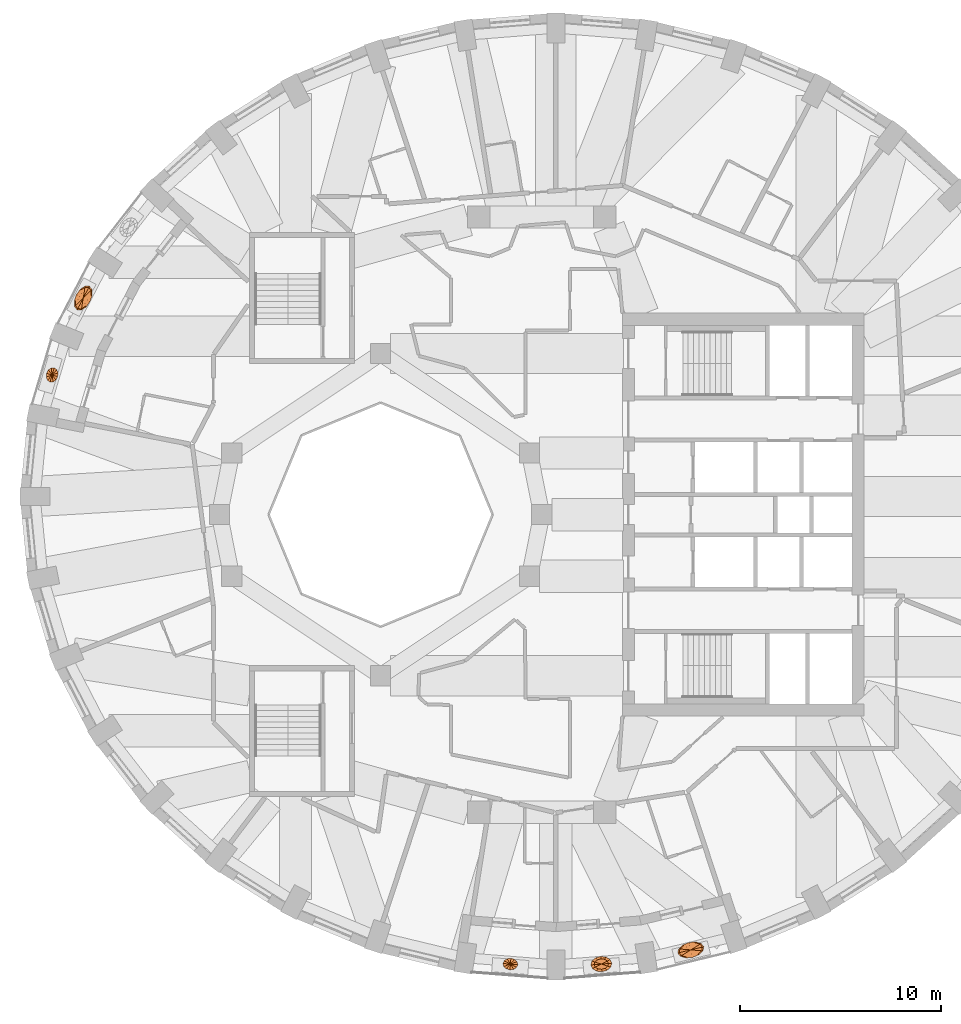
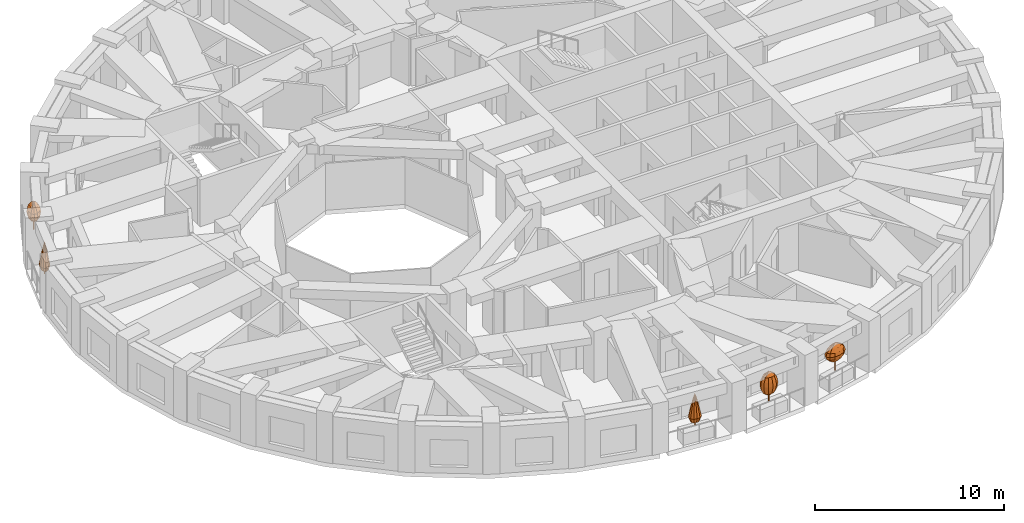
# One storey, part 11 of 12: 5 geographic elements.
"""IFC4 building model written with IfcOpenShell, lengths in metres."""

import ifcopenshell
import ifcopenshell.guid

model = None  # the IFC model being written
_history = None  # IfcOwnerHistory: only IFC2X3 demands one
_inside = {}  # id of a spatial element -> (the spatial element, [elements in it])
_under = {}  # id of a project, library or spatial element -> (it, [spatial elements below it])
_declared = {}  # id of a project -> (the project, [libraries it declares])
_typed = {}  # id of a type object -> (the type object, [elements of that type])
_made_of = {}  # id of a material, layer set ... -> (it, [elements and type objects made of it])


def new_model(schema):
    """Start an empty IFC model of exactly this schema.

    Asked for "IFC4X3", IfcOpenShell would pick the latest addendum, in which some entities
    have other attributes; the version numbers below select the first issue.
    IFC2X3 requires an IfcOwnerHistory on every rooted entity: one is made here for all.
    """
    global model, _history
    if schema == "IFC4X3":
        model = ifcopenshell.file(schema_version=(4, 3, 0, 0))
    else:
        model = ifcopenshell.file(schema=schema)
    _inside.clear()
    _under.clear()
    _declared.clear()
    _typed.clear()
    _made_of.clear()
    _history = None
    if model.schema == "IFC2X3":
        org = make("IfcOrganization", Name="unknown")
        user = make(
            "IfcPersonAndOrganization",
            ThePerson=make("IfcPerson", FamilyName="unknown"),
            TheOrganization=org,
        )
        app = make(
            "IfcApplication",
            ApplicationDeveloper=org,
            Version="unknown",
            ApplicationFullName="unknown",
            ApplicationIdentifier="unknown",
        )
        _history = make(
            "IfcOwnerHistory",
            OwningUser=user,
            OwningApplication=app,
            ChangeAction="ADDED",
            CreationDate=0,
        )
    return model


def make(cls, **values):
    """One entity of the class cls with the attributes given. An attribute that is None is left unset."""
    return model.create_entity(
        cls, **{name: value for name, value in values.items() if value is not None}
    )


def rooted(cls, **values):
    """An entity with a GlobalId (a new one), such as an element, a storey or a relation."""
    return make(cls, GlobalId=ifcopenshell.guid.new(), OwnerHistory=_history, **values)


def si_unit(unit_type, name, prefix=None):
    """IfcSIUnit, for example si_unit("LENGTHUNIT", "METRE", prefix="MILLI")."""
    return make("IfcSIUnit", UnitType=unit_type, Prefix=prefix, Name=name)


def assignment(units):
    """IfcUnitAssignment: the units of a project."""
    return None if units is None else make("IfcUnitAssignment", Units=units)


def point(xyz):
    """IfcCartesianPoint."""
    return None if xyz is None else make("IfcCartesianPoint", Coordinates=xyz)


def direction(xyz):
    """IfcDirection."""
    return None if xyz is None else make("IfcDirection", DirectionRatios=xyz)


def frame(location, z_axis=None, x_axis=None):
    """IfcAxis2Placement3D, a coordinate frame: its origin and axes. An axis left out is left unset."""
    return make(
        "IfcAxis2Placement3D",
        Location=point(location),
        Axis=direction(z_axis),
        RefDirection=direction(x_axis),
    )


def origin():
    """The frame at (0, 0, 0) with its axes left unset."""
    return frame((0.0, 0.0, 0.0))


def place(relative_to, where):
    """IfcLocalPlacement: puts the frame where relative to a parent placement (None: the world)."""
    return make(
        "IfcLocalPlacement", PlacementRelTo=relative_to, RelativePlacement=where
    )


def context(
    kind, dimensions, precision=None, world=None, true_north=None, identifier=None
):
    """IfcGeometricRepresentationContext, for example the 3D "Model" context."""
    return make(
        "IfcGeometricRepresentationContext",
        ContextIdentifier=identifier,
        ContextType=kind,
        CoordinateSpaceDimension=dimensions,
        Precision=precision,
        WorldCoordinateSystem=world,
        TrueNorth=true_north,
    )


def subcontext(parent, identifier, kind, view, scale=None):
    """IfcGeometricRepresentationSubContext, for example "Body" below "Model"."""
    return make(
        "IfcGeometricRepresentationSubContext",
        ContextIdentifier=identifier,
        ContextType=kind,
        ParentContext=parent,
        TargetScale=scale,
        TargetView=view,
    )


def project(units=None, contexts=None):
    """IfcProject with its units and contexts."""
    return rooted(
        "IfcProject",
        Name="project",
        RepresentationContexts=contexts,
        UnitsInContext=assignment(units),
    )


def spatial(cls, under=None, at=None, **own):
    """A site, building, storey or space (cls), placed at a placement, below another one or the project."""
    s = rooted(cls, ObjectPlacement=at, **own)
    if under is not None:
        _under.setdefault(under.id(), (under, []))[1].append(s)
    return s


def faces_of(points, faces, orient=None, outer=None):
    """IfcFace entities. A face is a list of loops; a loop is a list of indices into points, from 0.

    orient and outer hold one flag for each loop. By default every Orientation is true, the
    first loop of a face is its IfcFaceOuterBound and the others are IfcFaceBound.
    """
    made = []
    for i, loops in enumerate(faces):
        bounds = []
        for j, loop in enumerate(loops):
            is_outer = j == 0 if outer is None else outer[i][j]
            bounds.append(
                make(
                    "IfcFaceOuterBound" if is_outer else "IfcFaceBound",
                    Bound=make("IfcPolyLoop", Polygon=[points[k] for k in loop]),
                    Orientation=True if orient is None else orient[i][j],
                )
            )
        made.append(make("IfcFace", Bounds=bounds))
    return made


def faceted_brep(points, faces, orient=None, outer=None, voids=None):
    """IfcFacetedBrep: a solid bounded by flat faces; with voids (closed shells), ...WithVoids."""
    shared = [point(p) for p in points]
    hull = make("IfcClosedShell", CfsFaces=faces_of(shared, faces, orient, outer))
    if voids is None:
        return make("IfcFacetedBrep", Outer=hull)
    return make(
        "IfcFacetedBrepWithVoids",
        Outer=hull,
        Voids=[
            make(cls, CfsFaces=faces_of(shared, fs, o, b)) for cls, fs, o, b in voids
        ],
    )


def shape(context_of_items, identifier, shape_type, items):
    """IfcShapeRepresentation: the items that make up one representation, for example the "Body"."""
    return make(
        "IfcShapeRepresentation",
        ContextOfItems=context_of_items,
        RepresentationIdentifier=identifier,
        RepresentationType=shape_type,
        Items=items,
    )


def material(Name=None, Category=None):
    """IfcMaterial."""
    return make("IfcMaterial", Name=Name, Category=Category)


def constituent(of_material, Name=None, Category=None, fraction=None):
    """IfcMaterialConstituent: one of the materials an element consists of."""
    return make(
        "IfcMaterialConstituent",
        Name=Name,
        Material=of_material,
        Fraction=fraction,
        Category=Category,
    )


def constituent_set(constituents=None, Name=None):
    """IfcMaterialConstituentSet."""
    return make(
        "IfcMaterialConstituentSet", Name=Name, MaterialConstituents=constituents
    )


def made_of(thing, what):
    """Note that an element or type object is made of a material, layer set ...; save() writes the relation."""
    if what is not None:
        _made_of.setdefault(what.id(), (what, []))[1].append(thing)
    return thing


def type_object(cls, material=None, **own):
    """A type object (cls), such as IfcWallType, which elements share."""
    return made_of(rooted(cls, **own), material)


def element(
    cls,
    number,
    at=None,
    inside=None,
    cuts=None,
    type_object=None,
    material=None,
    context=None,
    identifier="Body",
    shape_type=None,
    held_by="IfcProductDefinitionShape",
    body=None,
    shapes=None,
    **own,
):
    """One element of the class cls, such as IfcWall. Its Tag is "e" and its number.

    at: its placement. inside: the storey or other place that contains it. cuts: it is an
    opening in that element (IfcRelVoidsElement). A single representation is given by context,
    identifier, shape_type and body (its items); several are given by shapes. held_by: the class
    of the entity that holds the representations. save() writes the other relations.
    """
    e = rooted(cls, Tag="e%d" % number, ObjectPlacement=at, **own)
    if body is not None:
        shapes = [shape(context, identifier, shape_type, body)]
    if shapes is not None:
        e.Representation = make(held_by, Representations=shapes)
    if inside is not None:
        _inside.setdefault(inside.id(), (inside, []))[1].append(e)
    if cuts is not None:
        rooted(
            "IfcRelVoidsElement", RelatingBuildingElement=cuts, RelatedOpeningElement=e
        )
    if type_object is not None:
        _typed.setdefault(type_object.id(), (type_object, []))[1].append(e)
    return made_of(e, material)


def aggregate(whole, parts):
    """IfcRelAggregates: a whole, such as a stair, and the parts it consists of."""
    return rooted("IfcRelAggregates", RelatingObject=whole, RelatedObjects=parts)


def save(model, path):
    """Write the relations noted so far, then the file.

    IfcRelAggregates (storeys below a building ...), IfcRelContainedInSpatialStructure (elements
    in a storey), IfcRelDefinesByType, IfcRelAssociatesMaterial and IfcRelDeclares: one each for
    every whole, place, type object, material and project.
    """
    for whole, parts in _under.values():
        aggregate(whole, parts)
    for where, things in _inside.values():
        rooted(
            "IfcRelContainedInSpatialStructure",
            RelatedElements=things,
            RelatingStructure=where,
        )
    for kind, things in _typed.values():
        rooted("IfcRelDefinesByType", RelatedObjects=things, RelatingType=kind)
    for what, things in _made_of.values():
        rooted("IfcRelAssociatesMaterial", RelatedObjects=things, RelatingMaterial=what)
    for by, libraries in _declared.values():
        rooted("IfcRelDeclares", RelatingContext=by, RelatedDefinitions=libraries)
    model.write(path)


model = new_model("IFC4")

# Units and contexts
model_context = context("Model", 3, precision=1e-05, world=origin(), true_north=direction((0.0, 1.0)))
body_context = subcontext(model_context, "Body", "Model", "MODEL_VIEW")
ifc_project = project(units=[si_unit("LENGTHUNIT", "METRE"), si_unit("AREAUNIT", "SQUARE_METRE"), si_unit("VOLUMEUNIT", "CUBIC_METRE"), si_unit("PLANEANGLEUNIT", "RADIAN"), si_unit("MASSUNIT", "GRAM", prefix="KILO")], contexts=[model_context])

# Site, building, storey
site_placement = place(None, origin())
site = spatial("IfcSite", under=ifc_project, at=site_placement, CompositionType="ELEMENT")
building_placement = place(site_placement, origin())
building = spatial("IfcBuilding", under=site, at=building_placement, Name="Taillehof Tower", CompositionType="ELEMENT")
storey_placement = place(building_placement, frame((0.0, 0.0, 205.699951171875)))
storey = spatial("IfcBuildingStorey", under=building, at=storey_placement, Name="L58", CompositionType="ELEMENT", Elevation=205.699951171875)

# Geographic elements
ifc_material_1 = material(Name="Tree bark", Category="timber")
ifc_constituent_1 = constituent(ifc_material_1, Name="Trunk", Category="timber")
ifc_material_2 = material(Name="Tree foliage")
ifc_constituent_2 = constituent(ifc_material_2, Name="Crown")
ifc_constituent_set_1 = constituent_set(constituents=[ifc_constituent_1, ifc_constituent_2], Name="Tree TR2 Fastigiate yew")
geographic_element_type_1 = type_object("IfcGeographicElementType", Name="Tree TR2 Fastigiate yew", PredefinedType="USERDEFINED", material=ifc_constituent_set_1)
geographic_element_1_placement = place(storey_placement, frame((2.955322265625, -22.310546875, 0.75)))
element("IfcGeographicElement", 1, at=geographic_element_1_placement, inside=storey, type_object=geographic_element_type_1, Name="Tree TR2 Fastigiate yew", ObjectType="TREE", PredefinedType="USERDEFINED", context=body_context, shape_type="Brep", body=[
    faceted_brep([(0.034912109375, 0.0, 0.0), (0.024658203125, 0.024658203125, 0.0), (0.024658203125, 0.024658203125, 0.909912109375), (0.034912109375, 0.0, 0.909912109375), (0.0, 0.034912109375, 0.0), (0.0, 0.034912109375, 0.909912109375), (-0.024658203125, 0.024658203125, 0.0), (-0.024658203125, 0.024658203125, 0.909912109375), (-0.034912109375, 0.0, 0.0), (-0.034912109375, 0.0, 0.909912109375), (-0.024658203125, -0.024658203125, 0.0), (-0.024658203125, -0.024658203125, 0.909912109375), (0.0, -0.034912109375, 0.0), (0.0, -0.034912109375, 0.909912109375), (0.024658203125, -0.024658203125, 0.0), (0.024658203125, -0.024658203125, 0.909912109375)], [[[0, 1, 2, 3]], [[1, 4, 5, 2]], [[4, 6, 7, 5]], [[6, 8, 9, 7]], [[8, 10, 11, 9]], [[10, 12, 13, 11]], [[12, 14, 15, 13]], [[14, 0, 3, 15]], [[14, 12, 10, 8, 6, 4, 1, 0]], [[3, 2, 5, 7, 9, 11, 13, 15]]]),
    faceted_brep([(0.0, 0.0, 0.35009765625), (0.2978515625, 0.153564453125, 0.61669921875), (0.355712890625, 0.028076171875, 0.61669921875), (0.16015625, 0.238037109375, 0.61669921875), (-0.020263671875, 0.2587890625, 0.61669921875), (-0.195556640625, 0.2099609375, 0.61669921875), (-0.318359375, 0.105224609375, 0.61669921875), (-0.355712890625, -0.028076171875, 0.61669921875), (-0.2978515625, -0.153564453125, 0.61669921875), (-0.16015625, -0.238037109375, 0.61669921875), (0.020263671875, -0.2587890625, 0.61669921875), (0.195556640625, -0.2099609375, 0.61669921875), (0.318359375, -0.105224609375, 0.61669921875), (0.403076171875, 0.207763671875, 0.88330078125), (0.481201171875, 0.037841796875, 0.88330078125), (0.216796875, 0.322021484375, 0.88330078125), (-0.027587890625, 0.35009765625, 0.88330078125), (-0.264404296875, 0.2841796875, 0.88330078125), (-0.4306640625, 0.14208984375, 0.88330078125), (-0.481201171875, -0.037841796875, 0.88330078125), (-0.403076171875, -0.207763671875, 0.88330078125), (-0.216796875, -0.322021484375, 0.88330078125), (0.027587890625, -0.35009765625, 0.88330078125), (0.264404296875, -0.2841796875, 0.88330078125), (0.4306640625, -0.14208984375, 0.88330078125), (0.436279296875, 0.224853515625, 1.14990234375), (0.52099609375, 0.041015625, 1.14990234375), (0.234619140625, 0.3486328125, 1.14990234375), (-0.02978515625, 0.37890625, 1.14990234375), (-0.286376953125, 0.3076171875, 1.14990234375), (-0.466064453125, 0.15380859375, 1.14990234375), (-0.52099609375, -0.041015625, 1.14990234375), (-0.436279296875, -0.224853515625, 1.14990234375), (-0.234619140625, -0.3486328125, 1.14990234375), (0.02978515625, -0.37890625, 1.14990234375), (0.286376953125, -0.3076171875, 1.14990234375), (0.466064453125, -0.15380859375, 1.14990234375), (0.403076171875, 0.207763671875, 1.416748046875), (0.481201171875, 0.037841796875, 1.416748046875), (0.216796875, 0.322021484375, 1.416748046875), (-0.027587890625, 0.35009765625, 1.416748046875), (-0.264404296875, 0.2841796875, 1.416748046875), (-0.4306640625, 0.14208984375, 1.416748046875), (-0.481201171875, -0.037841796875, 1.416748046875), (-0.403076171875, -0.207763671875, 1.416748046875), (-0.216796875, -0.322021484375, 1.416748046875), (0.027587890625, -0.35009765625, 1.416748046875), (0.264404296875, -0.2841796875, 1.416748046875), (0.4306640625, -0.14208984375, 1.416748046875), (0.2978515625, 0.153564453125, 1.683349609375), (0.355712890625, 0.028076171875, 1.683349609375), (0.16015625, 0.238037109375, 1.683349609375), (-0.020263671875, 0.2587890625, 1.683349609375), (-0.195556640625, 0.2099609375, 1.683349609375), (-0.318359375, 0.105224609375, 1.683349609375), (-0.355712890625, -0.028076171875, 1.683349609375), (-0.2978515625, -0.153564453125, 1.683349609375), (-0.16015625, -0.238037109375, 1.683349609375), (0.020263671875, -0.2587890625, 1.683349609375), (0.195556640625, -0.2099609375, 1.683349609375), (0.318359375, -0.105224609375, 1.683349609375), (0.0, 0.0, 1.949951171875)], [[[0, 1, 2]], [[0, 3, 1]], [[0, 4, 3]], [[0, 5, 4]], [[0, 6, 5]], [[0, 7, 6]], [[0, 8, 7]], [[0, 9, 8]], [[0, 10, 9]], [[0, 11, 10]], [[0, 12, 11]], [[0, 2, 12]], [[2, 1, 13, 14]], [[1, 3, 15, 13]], [[3, 4, 16, 15]], [[4, 5, 17, 16]], [[5, 6, 18, 17]], [[6, 7, 19, 18]], [[7, 8, 20, 19]], [[8, 9, 21, 20]], [[9, 10, 22, 21]], [[10, 11, 23, 22]], [[11, 12, 24, 23]], [[12, 2, 14, 24]], [[14, 13, 25, 26]], [[13, 15, 27, 25]], [[15, 16, 28, 27]], [[16, 17, 29, 28]], [[17, 18, 30, 29]], [[18, 19, 31, 30]], [[19, 20, 32, 31]], [[20, 21, 33, 32]], [[21, 22, 34, 33]], [[22, 23, 35, 34]], [[23, 24, 36, 35]], [[24, 14, 26, 36]], [[26, 25, 37, 38]], [[25, 27, 39, 37]], [[27, 28, 40, 39]], [[28, 29, 41, 40]], [[29, 30, 42, 41]], [[30, 31, 43, 42]], [[31, 32, 44, 43]], [[32, 33, 45, 44]], [[33, 34, 46, 45]], [[34, 35, 47, 46]], [[35, 36, 48, 47]], [[36, 26, 38, 48]], [[38, 37, 49, 50]], [[37, 39, 51, 49]], [[39, 40, 52, 51]], [[40, 41, 53, 52]], [[41, 42, 54, 53]], [[42, 43, 55, 54]], [[43, 44, 56, 55]], [[44, 45, 57, 56]], [[45, 46, 58, 57]], [[46, 47, 59, 58]], [[47, 48, 60, 59]], [[48, 38, 50, 60]], [[50, 49, 61]], [[49, 51, 61]], [[51, 52, 61]], [[52, 53, 61]], [[53, 54, 61]], [[54, 55, 61]], [[55, 56, 61]], [[56, 57, 61]], [[57, 58, 61]], [[58, 59, 61]], [[59, 60, 61]], [[60, 50, 61]]]),
])
ifc_material_3 = material(Name="Tree bark", Category="timber")
ifc_constituent_3 = constituent(ifc_material_3, Name="Trunk", Category="timber")
ifc_material_4 = material(Name="Tree foliage")
ifc_constituent_4 = constituent(ifc_material_4, Name="Crown")
ifc_constituent_set_2 = constituent_set(constituents=[ifc_constituent_3, ifc_constituent_4], Name="Tree TR4 Sea buckthorn standard")
geographic_element_type_2 = type_object("IfcGeographicElementType", Name="Tree TR4 Sea buckthorn standard", PredefinedType="USERDEFINED", material=ifc_constituent_set_2)
geographic_element_2_placement = place(storey_placement, frame((-22.760986328125, 10.750244140625, 0.75)))
element("IfcGeographicElement", 2, at=geographic_element_2_placement, inside=storey, type_object=geographic_element_type_2, Name="Tree TR4 Sea buckthorn standard", ObjectType="TREE", PredefinedType="USERDEFINED", context=body_context, shape_type="Brep", body=[
    faceted_brep([(0.030029296875, 0.0, 0.0), (0.021240234375, 0.021240234375, 0.0), (0.021240234375, 0.021240234375, 0.98095703125), (0.030029296875, 0.0, 0.98095703125), (0.0, 0.030029296875, 0.0), (0.0, 0.030029296875, 0.98095703125), (-0.021240234375, 0.021240234375, 0.0), (-0.021240234375, 0.021240234375, 0.98095703125), (-0.030029296875, 0.0, 0.0), (-0.030029296875, 0.0, 0.98095703125), (-0.021240234375, -0.021240234375, 0.0), (-0.021240234375, -0.021240234375, 0.98095703125), (0.0, -0.030029296875, 0.0), (0.0, -0.030029296875, 0.98095703125), (0.021240234375, -0.021240234375, 0.0), (0.021240234375, -0.021240234375, 0.98095703125)], [[[0, 1, 2, 3]], [[1, 4, 5, 2]], [[4, 6, 7, 5]], [[6, 8, 9, 7]], [[8, 10, 11, 9]], [[10, 12, 13, 11]], [[12, 14, 15, 13]], [[14, 0, 3, 15]], [[14, 12, 10, 8, 6, 4, 1, 0]], [[3, 2, 5, 7, 9, 11, 13, 15]]]),
    faceted_brep([(0.0, 0.0, 0.5400390625), (-0.055419921875, -0.343994140625, 0.75), (-0.17578125, -0.339111328125, 0.75), (0.079833984375, -0.256591796875, 0.75), (0.19384765625, -0.100341796875, 0.75), (0.255615234375, 0.08251953125, 0.75), (0.2490234375, 0.243408203125, 0.75), (0.17578125, 0.339111328125, 0.75), (0.055419921875, 0.343994140625, 0.75), (-0.079833984375, 0.256591796875, 0.75), (-0.19384765625, 0.100341796875, 0.75), (-0.255615234375, -0.08251953125, 0.75), (-0.2490234375, -0.243408203125, 0.75), (-0.0859375, -0.53369140625, 0.9599609375), (-0.272705078125, -0.526123046875, 0.9599609375), (0.1240234375, -0.398193359375, 0.9599609375), (0.30078125, -0.15576171875, 0.9599609375), (0.396728515625, 0.128173828125, 0.9599609375), (0.386474609375, 0.377685546875, 0.9599609375), (0.272705078125, 0.526123046875, 0.9599609375), (0.0859375, 0.53369140625, 0.9599609375), (-0.1240234375, 0.398193359375, 0.9599609375), (-0.30078125, 0.15576171875, 0.9599609375), (-0.396728515625, -0.128173828125, 0.9599609375), (-0.386474609375, -0.377685546875, 0.9599609375), (-0.096435546875, -0.5986328125, 1.169921875), (-0.30615234375, -0.59033203125, 1.169921875), (0.13916015625, -0.446533203125, 1.169921875), (0.33740234375, -0.1748046875, 1.169921875), (0.445068359375, 0.143798828125, 1.169921875), (0.433837890625, 0.423828125, 1.169921875), (0.30615234375, 0.59033203125, 1.169921875), (0.096435546875, 0.5986328125, 1.169921875), (-0.13916015625, 0.446533203125, 1.169921875), (-0.33740234375, 0.1748046875, 1.169921875), (-0.445068359375, -0.143798828125, 1.169921875), (-0.433837890625, -0.423828125, 1.169921875), (-0.0859375, -0.53369140625, 1.3798828125), (-0.272705078125, -0.526123046875, 1.3798828125), (0.1240234375, -0.398193359375, 1.3798828125), (0.30078125, -0.15576171875, 1.3798828125), (0.396728515625, 0.128173828125, 1.3798828125), (0.386474609375, 0.377685546875, 1.3798828125), (0.272705078125, 0.526123046875, 1.3798828125), (0.0859375, 0.53369140625, 1.3798828125), (-0.1240234375, 0.398193359375, 1.3798828125), (-0.30078125, 0.15576171875, 1.3798828125), (-0.396728515625, -0.128173828125, 1.3798828125), (-0.386474609375, -0.377685546875, 1.3798828125), (-0.055419921875, -0.343994140625, 1.590087890625), (-0.17578125, -0.339111328125, 1.590087890625), (0.079833984375, -0.256591796875, 1.590087890625), (0.19384765625, -0.100341796875, 1.590087890625), (0.255615234375, 0.08251953125, 1.590087890625), (0.2490234375, 0.243408203125, 1.590087890625), (0.17578125, 0.339111328125, 1.590087890625), (0.055419921875, 0.343994140625, 1.590087890625), (-0.079833984375, 0.256591796875, 1.590087890625), (-0.19384765625, 0.100341796875, 1.590087890625), (-0.255615234375, -0.08251953125, 1.590087890625), (-0.2490234375, -0.243408203125, 1.590087890625), (0.0, 0.0, 1.800048828125)], [[[0, 1, 2]], [[0, 3, 1]], [[0, 4, 3]], [[0, 5, 4]], [[0, 6, 5]], [[0, 7, 6]], [[0, 8, 7]], [[0, 9, 8]], [[0, 10, 9]], [[0, 11, 10]], [[0, 12, 11]], [[0, 2, 12]], [[2, 1, 13, 14]], [[1, 3, 15, 13]], [[3, 4, 16, 15]], [[4, 5, 17, 16]], [[5, 6, 18, 17]], [[6, 7, 19, 18]], [[7, 8, 20, 19]], [[8, 9, 21, 20]], [[9, 10, 22, 21]], [[10, 11, 23, 22]], [[11, 12, 24, 23]], [[12, 2, 14, 24]], [[14, 13, 25, 26]], [[13, 15, 27, 25]], [[15, 16, 28, 27]], [[16, 17, 29, 28]], [[17, 18, 30, 29]], [[18, 19, 31, 30]], [[19, 20, 32, 31]], [[20, 21, 33, 32]], [[21, 22, 34, 33]], [[22, 23, 35, 34]], [[23, 24, 36, 35]], [[24, 14, 26, 36]], [[26, 25, 37, 38]], [[25, 27, 39, 37]], [[27, 28, 40, 39]], [[28, 29, 41, 40]], [[29, 30, 42, 41]], [[30, 31, 43, 42]], [[31, 32, 44, 43]], [[32, 33, 45, 44]], [[33, 34, 46, 45]], [[34, 35, 47, 46]], [[35, 36, 48, 47]], [[36, 26, 38, 48]], [[38, 37, 49, 50]], [[37, 39, 51, 49]], [[39, 40, 52, 51]], [[40, 41, 53, 52]], [[41, 42, 54, 53]], [[42, 43, 55, 54]], [[43, 44, 56, 55]], [[44, 45, 57, 56]], [[45, 46, 58, 57]], [[46, 47, 59, 58]], [[47, 48, 60, 59]], [[48, 38, 50, 60]], [[50, 49, 61]], [[49, 51, 61]], [[51, 52, 61]], [[52, 53, 61]], [[53, 54, 61]], [[54, 55, 61]], [[55, 56, 61]], [[56, 57, 61]], [[57, 58, 61]], [[58, 59, 61]], [[59, 60, 61]], [[60, 50, 61]]]),
])
geographic_element_3_placement = place(storey_placement, frame((7.39794921875, -21.60595703125, 0.75)))
element("IfcGeographicElement", 3, at=geographic_element_3_placement, inside=storey, type_object=geographic_element_type_2, Name="Tree TR4 Sea buckthorn standard", ObjectType="TREE", PredefinedType="USERDEFINED", context=body_context, shape_type="Brep", body=[
    faceted_brep([(0.030029296875, 0.0, 0.0), (0.021240234375, 0.021240234375, 0.0), (0.021240234375, 0.021240234375, 0.98095703125), (0.030029296875, 0.0, 0.98095703125), (0.0, 0.030029296875, 0.0), (0.0, 0.030029296875, 0.98095703125), (-0.021240234375, 0.021240234375, 0.0), (-0.021240234375, 0.021240234375, 0.98095703125), (-0.030029296875, 0.0, 0.0), (-0.030029296875, 0.0, 0.98095703125), (-0.021240234375, -0.021240234375, 0.0), (-0.021240234375, -0.021240234375, 0.98095703125), (0.0, -0.030029296875, 0.0), (0.0, -0.030029296875, 0.98095703125), (0.021240234375, -0.021240234375, 0.0), (0.021240234375, -0.021240234375, 0.98095703125)], [[[0, 1, 2, 3]], [[1, 4, 5, 2]], [[4, 6, 7, 5]], [[6, 8, 9, 7]], [[8, 10, 11, 9]], [[10, 12, 13, 11]], [[12, 14, 15, 13]], [[14, 0, 3, 15]], [[14, 12, 10, 8, 6, 4, 1, 0]], [[3, 2, 5, 7, 9, 11, 13, 15]]]),
    faceted_brep([(0.0, 0.0, 0.5400390625), (0.2958984375, 0.18359375, 0.75), (0.371337890625, 0.089599609375, 0.75), (0.141357421875, 0.228515625, 0.75), (-0.051025390625, 0.212158203125, 0.75), (-0.22998046875, 0.138916015625, 0.75), (-0.34716796875, 0.028564453125, 0.75), (-0.371337890625, -0.089599609375, 0.75), (-0.2958984375, -0.18359375, 0.75), (-0.141357421875, -0.228515625, 0.75), (0.051025390625, -0.212158203125, 0.75), (0.22998046875, -0.138916015625, 0.75), (0.34716796875, -0.028564453125, 0.75), (0.459228515625, 0.284912109375, 0.9599609375), (0.576171875, 0.138916015625, 0.9599609375), (0.219482421875, 0.3544921875, 0.9599609375), (-0.079345703125, 0.329345703125, 0.9599609375), (-0.35693359375, 0.2158203125, 0.9599609375), (-0.538818359375, 0.04443359375, 0.9599609375), (-0.576171875, -0.138916015625, 0.9599609375), (-0.459228515625, -0.284912109375, 0.9599609375), (-0.219482421875, -0.3544921875, 0.9599609375), (0.079345703125, -0.329345703125, 0.9599609375), (0.35693359375, -0.2158203125, 0.9599609375), (0.538818359375, -0.04443359375, 0.9599609375), (0.515380859375, 0.319580078125, 1.169921875), (0.646484375, 0.15576171875, 1.169921875), (0.24609375, 0.39794921875, 1.169921875), (-0.089111328125, 0.369384765625, 1.169921875), (-0.400390625, 0.241943359375, 1.169921875), (-0.6044921875, 0.0498046875, 1.169921875), (-0.646484375, -0.15576171875, 1.169921875), (-0.515380859375, -0.319580078125, 1.169921875), (-0.24609375, -0.39794921875, 1.169921875), (0.089111328125, -0.369384765625, 1.169921875), (0.400390625, -0.241943359375, 1.169921875), (0.6044921875, -0.0498046875, 1.169921875), (0.459228515625, 0.284912109375, 1.3798828125), (0.576171875, 0.138916015625, 1.3798828125), (0.219482421875, 0.3544921875, 1.3798828125), (-0.079345703125, 0.329345703125, 1.3798828125), (-0.35693359375, 0.2158203125, 1.3798828125), (-0.538818359375, 0.04443359375, 1.3798828125), (-0.576171875, -0.138916015625, 1.3798828125), (-0.459228515625, -0.284912109375, 1.3798828125), (-0.219482421875, -0.3544921875, 1.3798828125), (0.079345703125, -0.329345703125, 1.3798828125), (0.35693359375, -0.2158203125, 1.3798828125), (0.538818359375, -0.04443359375, 1.3798828125), (0.2958984375, 0.18359375, 1.590087890625), (0.371337890625, 0.089599609375, 1.590087890625), (0.141357421875, 0.228515625, 1.590087890625), (-0.051025390625, 0.212158203125, 1.590087890625), (-0.22998046875, 0.138916015625, 1.590087890625), (-0.34716796875, 0.028564453125, 1.590087890625), (-0.371337890625, -0.089599609375, 1.590087890625), (-0.2958984375, -0.18359375, 1.590087890625), (-0.141357421875, -0.228515625, 1.590087890625), (0.051025390625, -0.212158203125, 1.590087890625), (0.22998046875, -0.138916015625, 1.590087890625), (0.34716796875, -0.028564453125, 1.590087890625), (0.0, 0.0, 1.800048828125)], [[[0, 1, 2]], [[0, 3, 1]], [[0, 4, 3]], [[0, 5, 4]], [[0, 6, 5]], [[0, 7, 6]], [[0, 8, 7]], [[0, 9, 8]], [[0, 10, 9]], [[0, 11, 10]], [[0, 12, 11]], [[0, 2, 12]], [[2, 1, 13, 14]], [[1, 3, 15, 13]], [[3, 4, 16, 15]], [[4, 5, 17, 16]], [[5, 6, 18, 17]], [[6, 7, 19, 18]], [[7, 8, 20, 19]], [[8, 9, 21, 20]], [[9, 10, 22, 21]], [[10, 11, 23, 22]], [[11, 12, 24, 23]], [[12, 2, 14, 24]], [[14, 13, 25, 26]], [[13, 15, 27, 25]], [[15, 16, 28, 27]], [[16, 17, 29, 28]], [[17, 18, 30, 29]], [[18, 19, 31, 30]], [[19, 20, 32, 31]], [[20, 21, 33, 32]], [[21, 22, 34, 33]], [[22, 23, 35, 34]], [[23, 24, 36, 35]], [[24, 14, 26, 36]], [[26, 25, 37, 38]], [[25, 27, 39, 37]], [[27, 28, 40, 39]], [[28, 29, 41, 40]], [[29, 30, 42, 41]], [[30, 31, 43, 42]], [[31, 32, 44, 43]], [[32, 33, 45, 44]], [[33, 34, 46, 45]], [[34, 35, 47, 46]], [[35, 36, 48, 47]], [[36, 26, 38, 48]], [[38, 37, 49, 50]], [[37, 39, 51, 49]], [[39, 40, 52, 51]], [[40, 41, 53, 52]], [[41, 42, 54, 53]], [[42, 43, 55, 54]], [[43, 44, 56, 55]], [[44, 45, 57, 56]], [[45, 46, 58, 57]], [[46, 47, 59, 58]], [[47, 48, 60, 59]], [[48, 38, 50, 60]], [[50, 49, 61]], [[49, 51, 61]], [[51, 52, 61]], [[52, 53, 61]], [[53, 54, 61]], [[54, 55, 61]], [[55, 56, 61]], [[56, 57, 61]], [[57, 58, 61]], [[58, 59, 61]], [[59, 60, 61]], [[60, 50, 61]]]),
])
ifc_material_5 = material(Name="Tree bark", Category="timber")
ifc_constituent_5 = constituent(ifc_material_5, Name="Trunk", Category="timber")
ifc_material_6 = material(Name="Tree foliage")
ifc_constituent_6 = constituent(ifc_material_6, Name="Crown")
ifc_constituent_set_3 = constituent_set(constituents=[ifc_constituent_5, ifc_constituent_6], Name="Tree TR5 Columnar juniper")
geographic_element_type_3 = type_object("IfcGeographicElementType", Name="Tree TR5 Columnar juniper", PredefinedType="USERDEFINED", material=ifc_constituent_set_3)
geographic_element_4_placement = place(storey_placement, frame((-24.305419921875, 6.932861328125, 0.75)))
element("IfcGeographicElement", 4, at=geographic_element_4_placement, inside=storey, type_object=geographic_element_type_3, Name="Tree TR5 Columnar juniper", ObjectType="TREE", PredefinedType="USERDEFINED", context=body_context, shape_type="Brep", body=[
    faceted_brep([(0.02490234375, 0.0, 0.0), (0.017578125, 0.017578125, 0.0), (0.017578125, 0.017578125, 0.929931640625), (0.02490234375, 0.0, 0.929931640625), (0.0, 0.02490234375, 0.0), (0.0, 0.02490234375, 0.929931640625), (-0.017578125, 0.017578125, 0.0), (-0.017578125, 0.017578125, 0.929931640625), (-0.02490234375, 0.0, 0.0), (-0.02490234375, 0.0, 0.929931640625), (-0.017578125, -0.017578125, 0.0), (-0.017578125, -0.017578125, 0.929931640625), (0.0, -0.02490234375, 0.0), (0.0, -0.02490234375, 0.929931640625), (0.017578125, -0.017578125, 0.0), (0.017578125, -0.017578125, 0.929931640625)], [[[0, 1, 2, 3]], [[1, 4, 5, 2]], [[4, 6, 7, 5]], [[6, 8, 9, 7]], [[8, 10, 11, 9]], [[10, 12, 13, 11]], [[12, 14, 15, 13]], [[14, 0, 3, 15]], [[14, 12, 10, 8, 6, 4, 1, 0]], [[3, 2, 5, 7, 9, 11, 13, 15]]]),
    faceted_brep([(-0.070556640625, -0.2373046875, 0.300048828125), (0.031005859375, -0.23291015625, 0.300048828125), (0.04638671875, -0.34765625, 0.60009765625), (-0.10546875, -0.35400390625, 0.60009765625), (0.12451171875, -0.166259765625, 0.300048828125), (0.185791015625, -0.248046875, 0.60009765625), (0.1845703125, -0.054931640625, 0.300048828125), (0.275390625, -0.08203125, 0.60009765625), (0.195068359375, 0.071044921875, 0.300048828125), (0.291259765625, 0.10595703125, 0.60009765625), (0.1533203125, 0.177978515625, 0.300048828125), (0.22900390625, 0.265625, 0.60009765625), (0.070556640625, 0.2373046875, 0.300048828125), (0.10546875, 0.35400390625, 0.60009765625), (-0.031005859375, 0.23291015625, 0.300048828125), (-0.04638671875, 0.34765625, 0.60009765625), (-0.12451171875, 0.166259765625, 0.300048828125), (-0.185791015625, 0.248046875, 0.60009765625), (-0.1845703125, 0.054931640625, 0.300048828125), (-0.275390625, 0.08203125, 0.60009765625), (-0.195068359375, -0.071044921875, 0.300048828125), (-0.291259765625, -0.10595703125, 0.60009765625), (-0.1533203125, -0.177978515625, 0.300048828125), (-0.22900390625, -0.265625, 0.60009765625), (0.038818359375, -0.290771484375, 0.89990234375), (-0.088134765625, -0.296142578125, 0.89990234375), (0.155517578125, -0.20751953125, 0.89990234375), (0.23046875, -0.068603515625, 0.89990234375), (0.24365234375, 0.088623046875, 0.89990234375), (0.191650390625, 0.22216796875, 0.89990234375), (0.088134765625, 0.296142578125, 0.89990234375), (-0.038818359375, 0.290771484375, 0.89990234375), (-0.155517578125, 0.20751953125, 0.89990234375), (-0.23046875, 0.068603515625, 0.89990234375), (-0.24365234375, -0.088623046875, 0.89990234375), (-0.191650390625, -0.22216796875, 0.89990234375), (0.03076171875, -0.23095703125, 1.199951171875), (-0.070068359375, -0.2353515625, 1.199951171875), (0.12353515625, -0.164794921875, 1.199951171875), (0.18310546875, -0.054443359375, 1.199951171875), (0.193603515625, 0.070556640625, 1.199951171875), (0.152099609375, 0.176513671875, 1.199951171875), (0.070068359375, 0.2353515625, 1.199951171875), (-0.03076171875, 0.23095703125, 1.199951171875), (-0.12353515625, 0.164794921875, 1.199951171875), (-0.18310546875, 0.054443359375, 1.199951171875), (-0.193603515625, -0.070556640625, 1.199951171875), (-0.152099609375, -0.176513671875, 1.199951171875), (0.022216796875, -0.1669921875, 1.5), (-0.05078125, -0.170166015625, 1.5), (0.08935546875, -0.119140625, 1.5), (0.13232421875, -0.039306640625, 1.5), (0.139892578125, 0.051025390625, 1.5), (0.110107421875, 0.127685546875, 1.5), (0.05078125, 0.170166015625, 1.5), (-0.022216796875, 0.1669921875, 1.5), (-0.08935546875, 0.119140625, 1.5), (-0.13232421875, 0.039306640625, 1.5), (-0.139892578125, -0.051025390625, 1.5), (-0.110107421875, -0.127685546875, 1.5), (0.0126953125, -0.095947265625, 1.800048828125), (-0.029052734375, -0.09765625, 1.800048828125), (0.05126953125, -0.068359375, 1.800048828125), (0.075927734375, -0.022705078125, 1.800048828125), (0.080322265625, 0.029296875, 1.800048828125), (0.063232421875, 0.0732421875, 1.800048828125), (0.029052734375, 0.09765625, 1.800048828125), (-0.0126953125, 0.095947265625, 1.800048828125), (-0.05126953125, 0.068359375, 1.800048828125), (-0.075927734375, 0.022705078125, 1.800048828125), (-0.080322265625, -0.029296875, 1.800048828125), (-0.063232421875, -0.0732421875, 1.800048828125), (0.0, 0.0, 2.10009765625)], [[[0, 1, 2, 3]], [[1, 4, 5, 2]], [[4, 6, 7, 5]], [[6, 8, 9, 7]], [[8, 10, 11, 9]], [[10, 12, 13, 11]], [[12, 14, 15, 13]], [[14, 16, 17, 15]], [[16, 18, 19, 17]], [[18, 20, 21, 19]], [[20, 22, 23, 21]], [[22, 0, 3, 23]], [[3, 2, 24, 25]], [[2, 5, 26, 24]], [[5, 7, 27, 26]], [[7, 9, 28, 27]], [[9, 11, 29, 28]], [[11, 13, 30, 29]], [[13, 15, 31, 30]], [[15, 17, 32, 31]], [[17, 19, 33, 32]], [[19, 21, 34, 33]], [[21, 23, 35, 34]], [[23, 3, 25, 35]], [[25, 24, 36, 37]], [[24, 26, 38, 36]], [[26, 27, 39, 38]], [[27, 28, 40, 39]], [[28, 29, 41, 40]], [[29, 30, 42, 41]], [[30, 31, 43, 42]], [[31, 32, 44, 43]], [[32, 33, 45, 44]], [[33, 34, 46, 45]], [[34, 35, 47, 46]], [[35, 25, 37, 47]], [[37, 36, 48, 49]], [[36, 38, 50, 48]], [[38, 39, 51, 50]], [[39, 40, 52, 51]], [[40, 41, 53, 52]], [[41, 42, 54, 53]], [[42, 43, 55, 54]], [[43, 44, 56, 55]], [[44, 45, 57, 56]], [[45, 46, 58, 57]], [[46, 47, 59, 58]], [[47, 37, 49, 59]], [[49, 48, 60, 61]], [[48, 50, 62, 60]], [[50, 51, 63, 62]], [[51, 52, 64, 63]], [[52, 53, 65, 64]], [[53, 54, 66, 65]], [[54, 55, 67, 66]], [[55, 56, 68, 67]], [[56, 57, 69, 68]], [[57, 58, 70, 69]], [[58, 59, 71, 70]], [[59, 49, 61, 71]], [[61, 60, 72]], [[60, 62, 72]], [[62, 63, 72]], [[63, 64, 72]], [[64, 65, 72]], [[65, 66, 72]], [[66, 67, 72]], [[67, 68, 72]], [[68, 69, 72]], [[69, 70, 72]], [[70, 71, 72]], [[71, 61, 72]], [[22, 20, 18, 16, 14, 12, 10, 8, 6, 4, 1, 0]]]),
])
geographic_element_5_placement = place(storey_placement, frame((-1.555419921875, -22.310546875, 0.75)))
element("IfcGeographicElement", 5, at=geographic_element_5_placement, inside=storey, type_object=geographic_element_type_3, Name="Tree TR5 Columnar juniper", ObjectType="TREE", PredefinedType="USERDEFINED", context=body_context, shape_type="Brep", body=[
    faceted_brep([(0.02490234375, 0.0, 0.0), (0.017578125, 0.017578125, 0.0), (0.017578125, 0.017578125, 0.929931640625), (0.02490234375, 0.0, 0.929931640625), (0.0, 0.02490234375, 0.0), (0.0, 0.02490234375, 0.929931640625), (-0.017578125, 0.017578125, 0.0), (-0.017578125, 0.017578125, 0.929931640625), (-0.02490234375, 0.0, 0.0), (-0.02490234375, 0.0, 0.929931640625), (-0.017578125, -0.017578125, 0.0), (-0.017578125, -0.017578125, 0.929931640625), (0.0, -0.02490234375, 0.0), (0.0, -0.02490234375, 0.929931640625), (0.017578125, -0.017578125, 0.0), (0.017578125, -0.017578125, 0.929931640625)], [[[0, 1, 2, 3]], [[1, 4, 5, 2]], [[4, 6, 7, 5]], [[6, 8, 9, 7]], [[8, 10, 11, 9]], [[10, 12, 13, 11]], [[12, 14, 15, 13]], [[14, 0, 3, 15]], [[14, 12, 10, 8, 6, 4, 1, 0]], [[3, 2, 5, 7, 9, 11, 13, 15]]]),
    faceted_brep([(0.246826171875, -0.01953125, 0.300048828125), (0.22119140625, 0.0791015625, 0.300048828125), (0.330322265625, 0.1181640625, 0.60009765625), (0.368408203125, -0.029052734375, 0.60009765625), (0.136474609375, 0.156494140625, 0.300048828125), (0.20361328125, 0.233642578125, 0.60009765625), (0.01513671875, 0.19189453125, 0.300048828125), (0.0224609375, 0.286376953125, 0.60009765625), (-0.1103515625, 0.176025390625, 0.300048828125), (-0.16455078125, 0.2626953125, 0.60009765625), (-0.2060546875, 0.11279296875, 0.300048828125), (-0.3076171875, 0.16845703125, 0.60009765625), (-0.246826171875, 0.01953125, 0.300048828125), (-0.368408203125, 0.029052734375, 0.60009765625), (-0.22119140625, -0.0791015625, 0.300048828125), (-0.330322265625, -0.1181640625, 0.60009765625), (-0.136474609375, -0.156494140625, 0.300048828125), (-0.20361328125, -0.233642578125, 0.60009765625), (-0.01513671875, -0.19189453125, 0.300048828125), (-0.0224609375, -0.286376953125, 0.60009765625), (0.1103515625, -0.176025390625, 0.300048828125), (0.16455078125, -0.2626953125, 0.60009765625), (0.2060546875, -0.11279296875, 0.300048828125), (0.3076171875, -0.16845703125, 0.60009765625), (0.2763671875, 0.098876953125, 0.89990234375), (0.30810546875, -0.024169921875, 0.89990234375), (0.17041015625, 0.1953125, 0.89990234375), (0.018798828125, 0.23974609375, 0.89990234375), (-0.1376953125, 0.2197265625, 0.89990234375), (-0.25732421875, 0.140869140625, 0.89990234375), (-0.30810546875, 0.024169921875, 0.89990234375), (-0.2763671875, -0.098876953125, 0.89990234375), (-0.17041015625, -0.1953125, 0.89990234375), (-0.018798828125, -0.23974609375, 0.89990234375), (0.1376953125, -0.2197265625, 0.89990234375), (0.25732421875, -0.140869140625, 0.89990234375), (0.219482421875, 0.07861328125, 1.199951171875), (0.244873046875, -0.019287109375, 1.199951171875), (0.13525390625, 0.1552734375, 1.199951171875), (0.014892578125, 0.1904296875, 1.199951171875), (-0.109375, 0.174560546875, 1.199951171875), (-0.20458984375, 0.11181640625, 1.199951171875), (-0.244873046875, 0.019287109375, 1.199951171875), (-0.219482421875, -0.07861328125, 1.199951171875), (-0.13525390625, -0.1552734375, 1.199951171875), (-0.014892578125, -0.1904296875, 1.199951171875), (0.109375, -0.174560546875, 1.199951171875), (0.20458984375, -0.11181640625, 1.199951171875), (0.15869140625, 0.056640625, 1.5), (0.177001953125, -0.013916015625, 1.5), (0.097900390625, 0.1123046875, 1.5), (0.0107421875, 0.1376953125, 1.5), (-0.0791015625, 0.126220703125, 1.5), (-0.14794921875, 0.080810546875, 1.5), (-0.177001953125, 0.013916015625, 1.5), (-0.15869140625, -0.056640625, 1.5), (-0.097900390625, -0.1123046875, 1.5), (-0.0107421875, -0.1376953125, 1.5), (0.0791015625, -0.126220703125, 1.5), (0.14794921875, -0.080810546875, 1.5), (0.091064453125, 0.03271484375, 1.800048828125), (0.1015625, -0.008056640625, 1.800048828125), (0.05615234375, 0.064453125, 1.800048828125), (0.006103515625, 0.0791015625, 1.800048828125), (-0.04541015625, 0.072509765625, 1.800048828125), (-0.0849609375, 0.04638671875, 1.800048828125), (-0.1015625, 0.008056640625, 1.800048828125), (-0.091064453125, -0.03271484375, 1.800048828125), (-0.05615234375, -0.064453125, 1.800048828125), (-0.006103515625, -0.0791015625, 1.800048828125), (0.04541015625, -0.072509765625, 1.800048828125), (0.0849609375, -0.04638671875, 1.800048828125), (0.0, 0.0, 2.10009765625)], [[[0, 1, 2, 3]], [[1, 4, 5, 2]], [[4, 6, 7, 5]], [[6, 8, 9, 7]], [[8, 10, 11, 9]], [[10, 12, 13, 11]], [[12, 14, 15, 13]], [[14, 16, 17, 15]], [[16, 18, 19, 17]], [[18, 20, 21, 19]], [[20, 22, 23, 21]], [[22, 0, 3, 23]], [[3, 2, 24, 25]], [[2, 5, 26, 24]], [[5, 7, 27, 26]], [[7, 9, 28, 27]], [[9, 11, 29, 28]], [[11, 13, 30, 29]], [[13, 15, 31, 30]], [[15, 17, 32, 31]], [[17, 19, 33, 32]], [[19, 21, 34, 33]], [[21, 23, 35, 34]], [[23, 3, 25, 35]], [[25, 24, 36, 37]], [[24, 26, 38, 36]], [[26, 27, 39, 38]], [[27, 28, 40, 39]], [[28, 29, 41, 40]], [[29, 30, 42, 41]], [[30, 31, 43, 42]], [[31, 32, 44, 43]], [[32, 33, 45, 44]], [[33, 34, 46, 45]], [[34, 35, 47, 46]], [[35, 25, 37, 47]], [[37, 36, 48, 49]], [[36, 38, 50, 48]], [[38, 39, 51, 50]], [[39, 40, 52, 51]], [[40, 41, 53, 52]], [[41, 42, 54, 53]], [[42, 43, 55, 54]], [[43, 44, 56, 55]], [[44, 45, 57, 56]], [[45, 46, 58, 57]], [[46, 47, 59, 58]], [[47, 37, 49, 59]], [[49, 48, 60, 61]], [[48, 50, 62, 60]], [[50, 51, 63, 62]], [[51, 52, 64, 63]], [[52, 53, 65, 64]], [[53, 54, 66, 65]], [[54, 55, 67, 66]], [[55, 56, 68, 67]], [[56, 57, 69, 68]], [[57, 58, 70, 69]], [[58, 59, 71, 70]], [[59, 49, 61, 71]], [[61, 60, 72]], [[60, 62, 72]], [[62, 63, 72]], [[63, 64, 72]], [[64, 65, 72]], [[65, 66, 72]], [[66, 67, 72]], [[67, 68, 72]], [[68, 69, 72]], [[69, 70, 72]], [[70, 71, 72]], [[71, 61, 72]], [[22, 20, 18, 16, 14, 12, 10, 8, 6, 4, 1, 0]]]),
])

save(model, "model.ifc")
